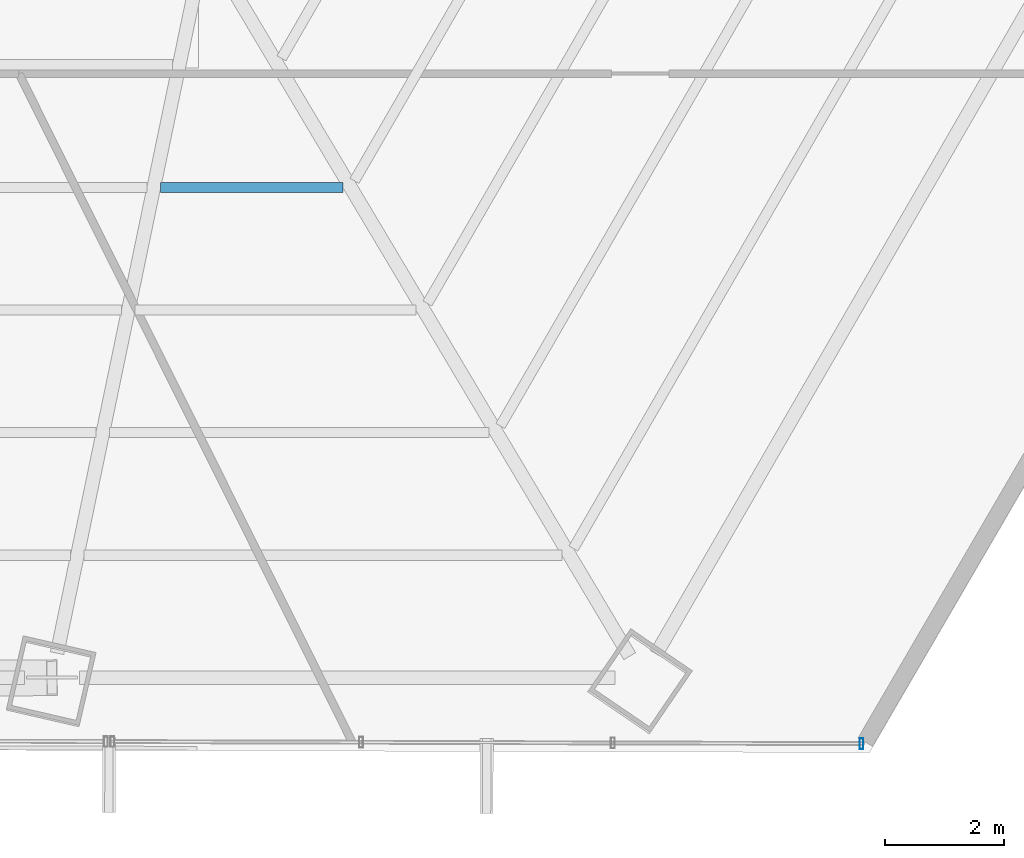
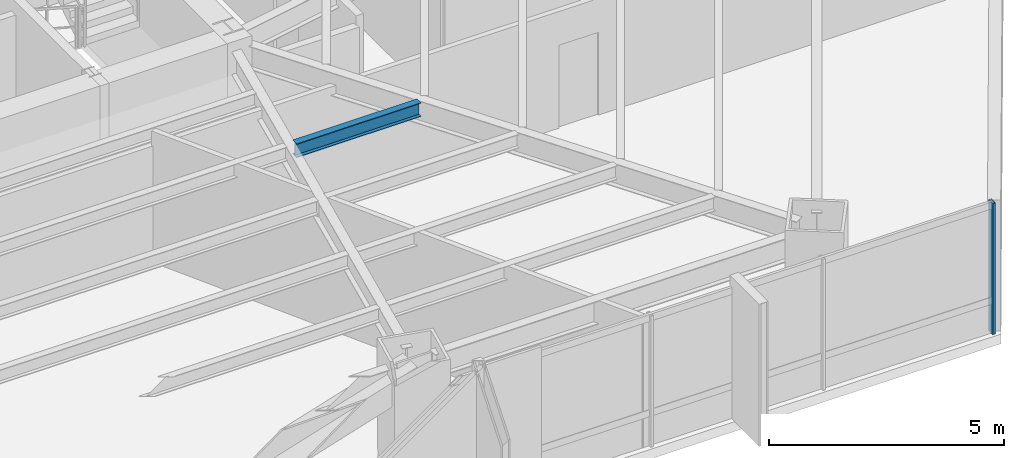
# One storey, part 14 of 33: 1 beam, 1 member, 1 element without a shape of its own.
"""IFC4 building model written with IfcOpenShell, lengths in metres."""

from ifc_helpers import new_model, si_unit, direction, frame, origin, origin_2d, place, context, subcontext, project, spatial, hollow_rectangle, i_section, extrude, source, transform, mapped, material, material_profile, profile_set, type_object, type_shapes, element, aggregate, save


model = new_model("IFC4")

# Units and contexts
model_context = context("Model", 3, precision=1e-05, world=origin(), true_north=direction((0.0, 1.0)))
body_context = subcontext(model_context, "Body", "Model", "MODEL_VIEW")
ifc_project = project(units=[si_unit("LENGTHUNIT", "METRE"), si_unit("AREAUNIT", "SQUARE_METRE"), si_unit("VOLUMEUNIT", "CUBIC_METRE"), si_unit("PLANEANGLEUNIT", "RADIAN"), si_unit("MASSUNIT", "GRAM", prefix="KILO")], contexts=[model_context])

# Site, building, storey
site_placement = place(None, origin())
site = spatial("IfcSite", under=ifc_project, at=site_placement, CompositionType="ELEMENT")
building_placement = place(site_placement, origin())
building = spatial("IfcBuilding", under=site, at=building_placement, Name="Caelisora Broadcast Tower", CompositionType="ELEMENT")
storey_placement = place(building_placement, frame((0.0, 0.0, 38.550048828125)))
storey = spatial("IfcBuildingStorey", under=building, at=storey_placement, Name="L09", CompositionType="ELEMENT", Elevation=38.550048828125)

# Beam
ifc_material_1 = material(Name="Steel Grade 350 (AS/NZS 3679.1)", Category="steel")
ifc_material_profile_1 = material_profile(ifc_material_1, i_section(OverallWidth=0.172119140625, OverallDepth=0.358642578125, WebThickness=0.008056640625, FlangeThickness=0.012939453125, at=origin_2d()), Name="Steel Grade 350 (AS/NZS 3679.1)")
ifc_profile_set_1 = profile_set([ifc_material_profile_1], Name="Steel Grade 350 (AS/NZS 3679.1)")
beam_type = type_object("IfcBeamType", Name="SB02", PredefinedType="JOIST", material=ifc_profile_set_1)
shared_shape_1 = source(origin(), body_context, "Body", "SweptSolid", [
    extrude(i_section(OverallWidth=0.172119140625, OverallDepth=0.358642578125, WebThickness=0.008056640625, FlangeThickness=0.012939453125, at=origin_2d()), origin(), (0.0, 0.0, 1.0), 3.05224609375),
])
type_shapes(beam_type, [shared_shape_1])
beam_placement = place(storey_placement, frame((44.760986328125, 13.29638671875, 3.220703125), z_axis=(1.0, 0.0, 0.0), x_axis=(0.0, 1.0, 0.0)))
element("IfcBeam", 1, at=beam_placement, inside=storey, type_object=beam_type, Name="L09 beam SB02", PredefinedType="JOIST", context=body_context, shape_type="MappedRepresentation", body=[
    mapped(shared_shape_1, transform((0.0, 0.0, 0.0), scale=1.0)),
])

# Curtain wall, member
ifc_material_2 = material(Name="Unitised Aluminium and Low-E Glass Curtain Wall", Category="glass")
curtain_wall_type = type_object("IfcCurtainWallType", Name="CW-Z1", PredefinedType="NOTDEFINED", material=ifc_material_2)
curtain_wall_placement = place(storey_placement, origin())
curtain_wall = element("IfcCurtainWall", 2, at=curtain_wall_placement, inside=storey, type_object=curtain_wall_type, Name="L09 curtain wall CW-Z1", PredefinedType="NOTDEFINED")
ifc_material_3 = material(Name="Aluminium 6063-T6 Anodised Terracotta Bronze", Category="aluminium")
ifc_material_profile_2 = material_profile(ifc_material_3, hollow_rectangle(XDim=0.06494140625, YDim=0.179931640625, WallThickness=0.00341796875, at=origin_2d()), Name="Aluminium 6063-T6 Anodised Terracotta Bronze")
ifc_profile_set_2 = profile_set([ifc_material_profile_2], Name="Aluminium 6063-T6 Anodised Terracotta Bronze")
member_type = type_object("IfcMemberType", Name="CWM-02", PredefinedType="MULLION", material=ifc_profile_set_2)
shared_shape_2 = source(origin(), body_context, "Body", "SweptSolid", [
    extrude(hollow_rectangle(XDim=0.06494140625, YDim=0.179931640625, WallThickness=0.00341796875, at=origin_2d()), origin(), (0.0, 0.0, 1.0), 3.39990234375),
])
type_shapes(member_type, [shared_shape_2])
member_placement = place(storey_placement, frame((56.4951171875, 3.985107421875, 0.0), z_axis=(0.0, 0.0, 1.0), x_axis=(1.0, 0.0, 0.0)))
member = element("IfcMember", 3, at=member_placement, type_object=member_type, Name="L09-CW-B05 mullion #0", PredefinedType="MULLION", context=body_context, shape_type="MappedRepresentation", body=[
    mapped(shared_shape_2, transform((0.0, 0.0, 0.0), scale=1.0)),
])
aggregate(curtain_wall, [member])

save(model, "model.ifc")
